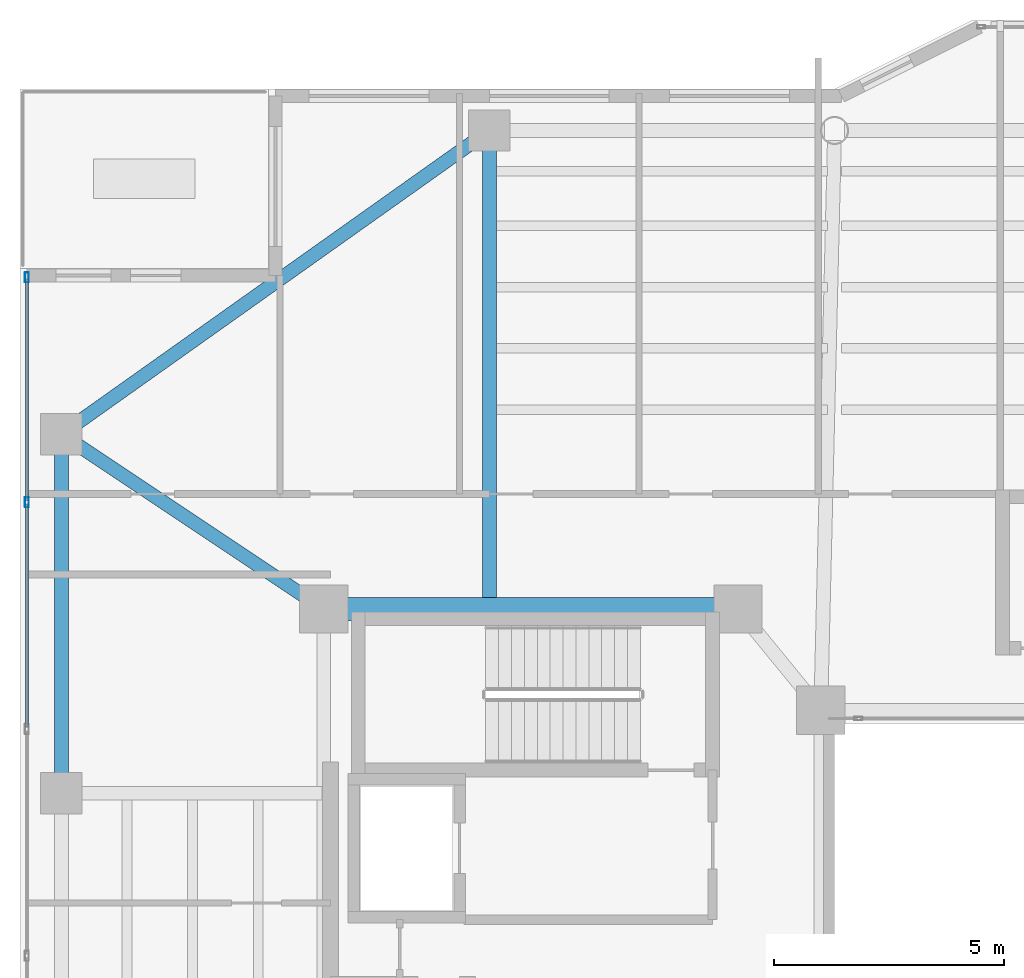
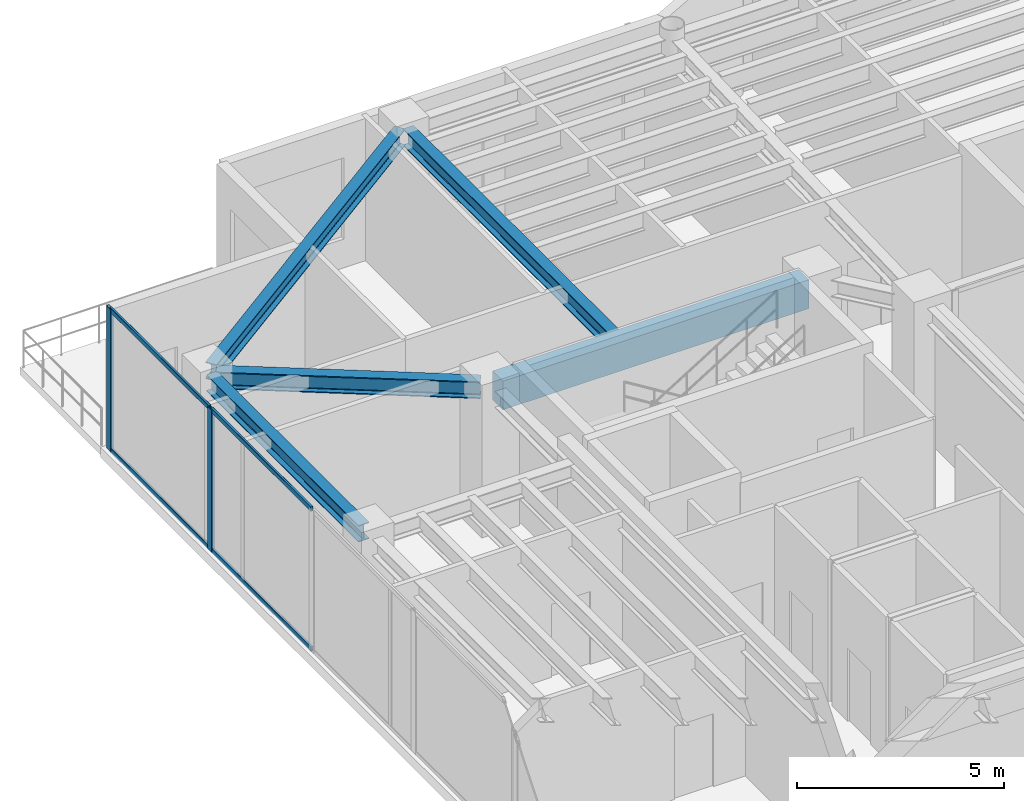
# One storey, part 17 of 33: 6 members, 5 beams, 1 element without a shape of its own.
"""IFC4 building model written with IfcOpenShell, lengths in metres."""

from ifc_helpers import new_model, si_unit, direction, frame, origin, origin_2d, place, context, subcontext, project, spatial, rectangle, hollow_rectangle, i_section, extrude, material, layer, layer_set, material_profile, profile_set, type_object, element, aggregate, save


model = new_model("IFC4")

# Units and contexts
model_context = context("Model", 3, precision=1e-05, world=origin(), true_north=direction((0.0, 1.0)))
body_context = subcontext(model_context, "Body", "Model", "MODEL_VIEW")
ifc_project = project(units=[si_unit("LENGTHUNIT", "METRE"), si_unit("AREAUNIT", "SQUARE_METRE"), si_unit("VOLUMEUNIT", "CUBIC_METRE"), si_unit("PLANEANGLEUNIT", "RADIAN"), si_unit("MASSUNIT", "GRAM", prefix="KILO")], contexts=[model_context])

# Site, building, storey
site_placement = place(None, origin())
site = spatial("IfcSite", under=ifc_project, at=site_placement, CompositionType="ELEMENT")
building_placement = place(site_placement, origin())
building = spatial("IfcBuilding", under=site, at=building_placement, Name="Tarnavaz Court Tower", CompositionType="ELEMENT")
storey_placement = place(building_placement, frame((0.0, 0.0, 177.300048828125)))
storey = spatial("IfcBuildingStorey", under=building, at=storey_placement, Name="L48", CompositionType="ELEMENT", Elevation=177.300048828125)

# Beams
ifc_material_1 = material(Name="Concrete C50/60", Category="concrete")
ifc_material_profile_1 = material_profile(ifc_material_1, rectangle(XDim=0.5, YDim=0.85009765625, at=origin_2d()), Name="RC 500X850")
ifc_profile_set_1 = profile_set([ifc_material_profile_1], Name="Concrete C50/60")
beam_type_1 = type_object("IfcBeamType", Name="BM-CB850", PredefinedType="LINTEL", material=ifc_profile_set_1)
beam_1_placement = place(storey_placement, frame((-18.3798828125, 10.0, 3.77490234375), z_axis=(1.0, 0.0, 0.0), x_axis=(0.0, 1.0, 0.0)))
element("IfcBeam", 1, at=beam_1_placement, inside=storey, type_object=beam_type_1, Name="L48 Beam IN-CW-NO-CW-NI", PredefinedType="LINTEL", context=body_context, shape_type="SweptSolid", body=[
    extrude(rectangle(XDim=0.5, YDim=0.85009765625, at=origin_2d()), origin(), (0.0, 0.0, 1.0), 8.559814453125),
])
ifc_material_2 = material(Name="Steel S355", Category="steel")
ifc_material_profile_2 = material_profile(ifc_material_2, i_section(OverallWidth=0.300048828125, OverallDepth=0.5, WebThickness=0.014404296875, FlangeThickness=0.028076171875, FilletRadius=0.027099609375, at=origin_2d()), Name="HEB 500")
ifc_profile_set_2 = profile_set([ifc_material_profile_2], Name="Steel S355")
beam_type_2 = type_object("IfcBeamType", Name="BM-G-HEB500", PredefinedType="USERDEFINED", material=ifc_profile_set_2)
beam_2_placement = place(storey_placement, frame((-15.0, 10.0400390625, 3.949951171875), z_axis=(0.0, 1.0, 0.0), x_axis=(-1.0, 0.0, 0.0)))
element("IfcBeam", 2, at=beam_2_placement, inside=storey, type_object=beam_type_2, Name="L48 Beam RG-01", ObjectType="GIRDER", PredefinedType="USERDEFINED", context=body_context, shape_type="SweptSolid", body=[
    extrude(i_section(OverallWidth=0.300048828125, OverallDepth=0.5, WebThickness=0.014404296875, FlangeThickness=0.028076171875, FilletRadius=0.027099609375, at=origin_2d()), origin(), (0.0, 0.0, 1.0), 10.139892578125),
])
beam_3_placement = place(storey_placement, frame((-18.783203125, 10.1220703125, 3.949951171875), z_axis=(-0.832044435051, 0.554708985056, 0.0), x_axis=(-0.554708985056, -0.832044435051, 0.0)))
element("IfcBeam", 3, at=beam_3_placement, inside=storey, type_object=beam_type_2, Name="L48 Beam RG-16", ObjectType="GIRDER", PredefinedType="USERDEFINED", context=body_context, shape_type="SweptSolid", body=[
    extrude(i_section(OverallWidth=0.300048828125, OverallDepth=0.5, WebThickness=0.014404296875, FlangeThickness=0.028076171875, FilletRadius=0.027099609375, at=origin_2d()), origin(), (0.0, 0.0, 1.0), 6.410400390625),
])
ifc_material_profile_3 = material_profile(ifc_material_2, i_section(OverallWidth=0.300048828125, OverallDepth=0.489990234375, WebThickness=0.011962890625, FlangeThickness=0.02294921875, FilletRadius=0.027099609375, at=origin_2d()), Name="HEA 500")
ifc_profile_set_3 = profile_set([ifc_material_profile_3], Name="Steel S355")
beam_type_3 = type_object("IfcBeamType", Name="BM-SP-HEA500", PredefinedType="SPANDREL", material=ifc_profile_set_3)
beam_4_placement = place(storey_placement, frame((-24.300048828125, 6.219970703125, 3.954833984375), z_axis=(0.0, 1.0, 0.0), x_axis=(-1.0, 0.0, 0.0)))
element("IfcBeam", 4, at=beam_4_placement, inside=storey, type_object=beam_type_3, Name="L48 Beam PR-PW-3-PW-4", PredefinedType="SPANDREL", context=body_context, shape_type="SweptSolid", body=[
    extrude(i_section(OverallWidth=0.300048828125, OverallDepth=0.489990234375, WebThickness=0.011962890625, FlangeThickness=0.02294921875, FilletRadius=0.027099609375, at=origin_2d()), origin(), (0.0, 0.0, 1.0), 7.360107421875),
])
beam_5_placement = place(storey_placement, frame((-24.12060546875, 13.92724609375, 3.954833984375), z_axis=(0.815502059396, 0.57875417158, 0.0), x_axis=(-0.57875417158, 0.815502059396, 0.0)))
element("IfcBeam", 5, at=beam_5_placement, inside=storey, type_object=beam_type_3, Name="L48 Beam PR-PW-4-PN-1", PredefinedType="SPANDREL", context=body_context, shape_type="SweptSolid", body=[
    extrude(i_section(OverallWidth=0.300048828125, OverallDepth=0.489990234375, WebThickness=0.011962890625, FlangeThickness=0.02294921875, FilletRadius=0.027099609375, at=origin_2d()), origin(), (0.0, 0.0, 1.0), 10.964111328125),
])

# Curtain wall, members
ifc_material_3 = material(Name="Anodised Aluminium 6063-T6 and Solar Low-E Glazing", Category="aluminium")
ifc_layer = layer(ifc_material_3, 0.199951171875)
ifc_layer_set = layer_set([ifc_layer], Name="Anodised Aluminium 6063-T6 and Solar Low-E Glazing")
curtain_wall_type = type_object("IfcCurtainWallType", Name="CW-SYS-05", PredefinedType="NOTDEFINED", material=ifc_layer_set)
curtain_wall_placement = place(storey_placement, origin())
curtain_wall = element("IfcCurtainWall", 6, at=curtain_wall_placement, inside=storey, type_object=curtain_wall_type, Name="L48 Sky-Portal Curtain Wall 2", PredefinedType="NOTDEFINED")
ifc_material_4 = material(Name="Anodised Aluminium 6063-T6", Category="aluminium")
ifc_material_profile_4 = material_profile(ifc_material_4, hollow_rectangle(XDim=0.0849609375, YDim=0.219970703125, WallThickness=0.006103515625, InnerFilletRadius=0.006103515625, OuterFilletRadius=0.011962890625, at=origin_2d()), Name="ALU RHS 220X85X6")
ifc_profile_set_4 = profile_set([ifc_material_profile_4], Name="Anodised Aluminium 6063-T6")
member_type_1 = type_object("IfcMemberType", Name="CW-MUL-220", PredefinedType="MULLION", material=ifc_profile_set_4)
member_1_placement = place(storey_placement, frame((-25.050048828125, 12.321533203125, 0.0), z_axis=(0.0, 0.0, 1.0), x_axis=(-1.0, 0.0, 0.0)))
member_1 = element("IfcMember", 7, at=member_1_placement, type_object=member_type_1, Name="CW mullion 7", PredefinedType="MULLION", context=body_context, shape_type="SweptSolid", body=[
    extrude(hollow_rectangle(XDim=0.0849609375, YDim=0.219970703125, WallThickness=0.006103515625, InnerFilletRadius=0.006103515625, OuterFilletRadius=0.011962890625, at=origin_2d()), origin(), (0.0, 0.0, 1.0), 4.199951171875),
])
member_2_placement = place(storey_placement, frame((-25.050048828125, 17.20751953125, 0.0), z_axis=(0.0, 0.0, 1.0), x_axis=(-1.0, 0.0, 0.0)))
member_2 = element("IfcMember", 8, at=member_2_placement, type_object=member_type_1, Name="CW mullion 8", PredefinedType="MULLION", context=body_context, shape_type="SweptSolid", body=[
    extrude(hollow_rectangle(XDim=0.0849609375, YDim=0.219970703125, WallThickness=0.006103515625, InnerFilletRadius=0.006103515625, OuterFilletRadius=0.011962890625, at=origin_2d()), origin(), (0.0, 0.0, 1.0), 4.199951171875),
])
ifc_material_profile_5 = material_profile(ifc_material_4, hollow_rectangle(XDim=0.06494140625, YDim=0.139892578125, WallThickness=0.00390625, InnerFilletRadius=0.00390625, OuterFilletRadius=0.008056640625, at=origin_2d()), Name="ALU RHS 140X65X4")
ifc_profile_set_5 = profile_set([ifc_material_profile_5], Name="Anodised Aluminium 6063-T6")
member_type_2 = type_object("IfcMemberType", Name="CW-TRN-140", PredefinedType="USERDEFINED", material=ifc_profile_set_5)
member_3_placement = place(storey_placement, frame((-25.050048828125, 7.435302734375, 0.032470703125), z_axis=(0.0, 1.0, 0.0), x_axis=(-1.0, 0.0, 0.0)))
member_3 = element("IfcMember", 9, at=member_3_placement, type_object=member_type_2, Name="CW transom 6.1", ObjectType="TRANSOM", PredefinedType="USERDEFINED", context=body_context, shape_type="SweptSolid", body=[
    extrude(hollow_rectangle(XDim=0.06494140625, YDim=0.139892578125, WallThickness=0.00390625, InnerFilletRadius=0.00390625, OuterFilletRadius=0.008056640625, at=origin_2d()), origin(), (0.0, 0.0, 1.0), 4.843505859375),
])
member_4_placement = place(storey_placement, frame((-25.050048828125, 7.435302734375, 4.16748046875), z_axis=(0.0, 1.0, 0.0), x_axis=(-1.0, 0.0, 0.0)))
member_4 = element("IfcMember", 10, at=member_4_placement, type_object=member_type_2, Name="CW transom 6.2", ObjectType="TRANSOM", PredefinedType="USERDEFINED", context=body_context, shape_type="SweptSolid", body=[
    extrude(hollow_rectangle(XDim=0.06494140625, YDim=0.139892578125, WallThickness=0.00390625, InnerFilletRadius=0.00390625, OuterFilletRadius=0.008056640625, at=origin_2d()), origin(), (0.0, 0.0, 1.0), 4.843505859375),
])
member_5_placement = place(storey_placement, frame((-25.050048828125, 12.364013671875, 0.032470703125), z_axis=(0.0, 1.0, 0.0), x_axis=(-1.0, 0.0, 0.0)))
member_5 = element("IfcMember", 11, at=member_5_placement, type_object=member_type_2, Name="CW transom 7.1", ObjectType="TRANSOM", PredefinedType="USERDEFINED", context=body_context, shape_type="SweptSolid", body=[
    extrude(hollow_rectangle(XDim=0.06494140625, YDim=0.139892578125, WallThickness=0.00390625, InnerFilletRadius=0.00390625, OuterFilletRadius=0.008056640625, at=origin_2d()), origin(), (0.0, 0.0, 1.0), 4.801025390625),
])
member_6_placement = place(storey_placement, frame((-25.050048828125, 12.364013671875, 4.16748046875), z_axis=(0.0, 1.0, 0.0), x_axis=(-1.0, 0.0, 0.0)))
member_6 = element("IfcMember", 12, at=member_6_placement, type_object=member_type_2, Name="CW transom 7.2", ObjectType="TRANSOM", PredefinedType="USERDEFINED", context=body_context, shape_type="SweptSolid", body=[
    extrude(hollow_rectangle(XDim=0.06494140625, YDim=0.139892578125, WallThickness=0.00390625, InnerFilletRadius=0.00390625, OuterFilletRadius=0.008056640625, at=origin_2d()), origin(), (0.0, 0.0, 1.0), 4.801025390625),
])
aggregate(curtain_wall, [member_1, member_2, member_3, member_4, member_5, member_6])

save(model, "model.ifc")
